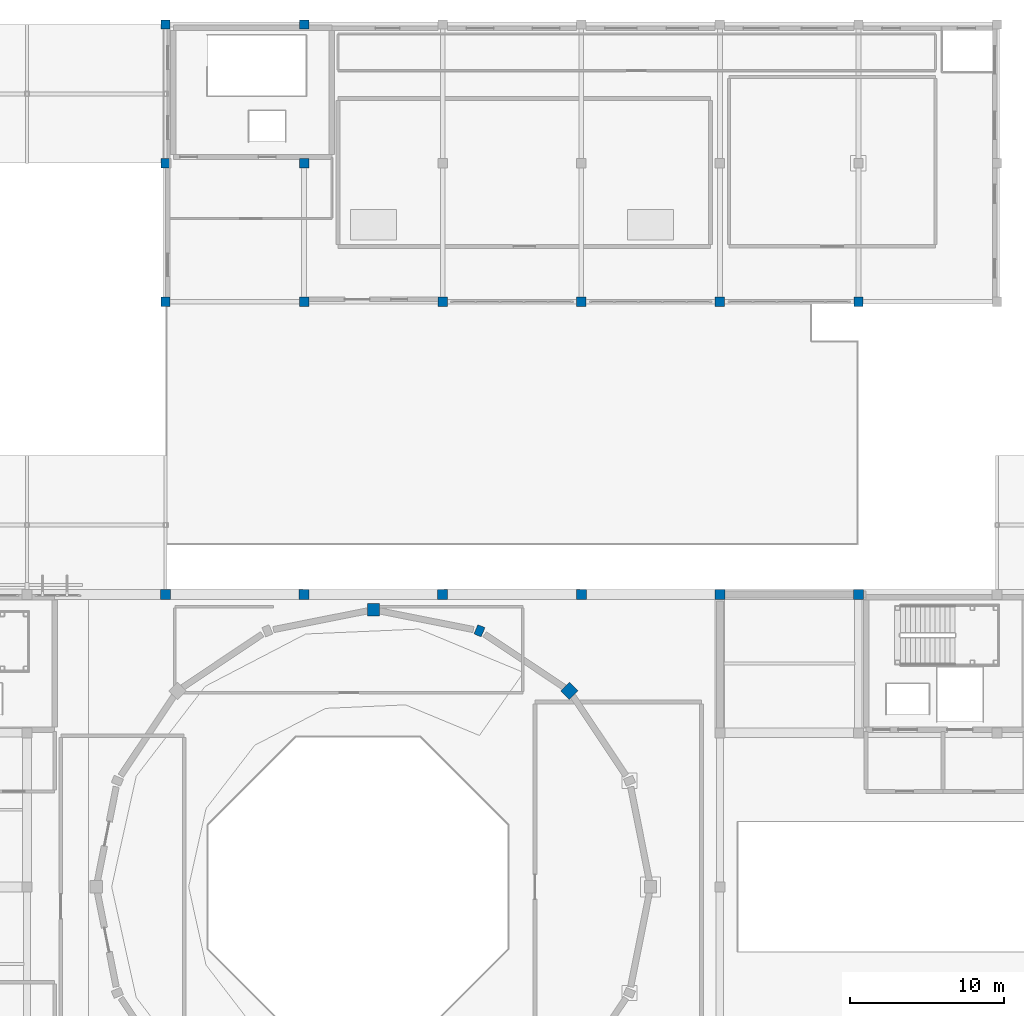
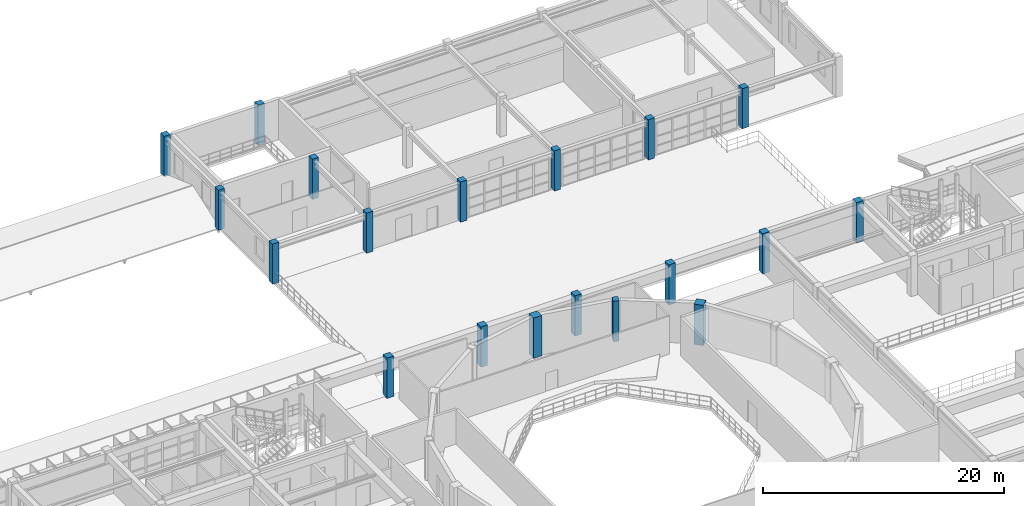
# One storey, part 5 of 80: 19 columns.
"""IFC4 building model written with IfcOpenShell, lengths in metres."""

from ifc_helpers import new_model, si_unit, direction, frame, origin, origin_2d, place, context, subcontext, project, spatial, rectangle, extrude, material, material_profile, profile_set, type_object, element, save


model = new_model("IFC4")

# Units and contexts
model_context = context("Model", 3, precision=1e-05, world=origin(), true_north=direction((0.0, 1.0)))
body_context = subcontext(model_context, "Body", "Model", "MODEL_VIEW")
ifc_project = project(units=[si_unit("LENGTHUNIT", "METRE"), si_unit("AREAUNIT", "SQUARE_METRE"), si_unit("VOLUMEUNIT", "CUBIC_METRE"), si_unit("PLANEANGLEUNIT", "RADIAN"), si_unit("MASSUNIT", "GRAM", prefix="KILO")], contexts=[model_context])

# Site, building, storey
site_placement = place(None, origin())
site = spatial("IfcSite", under=ifc_project, at=site_placement, CompositionType="ELEMENT")
building_placement = place(site_placement, origin())
building = spatial("IfcBuilding", under=site, at=building_placement, Name="Miravela Opera House", CompositionType="ELEMENT")
storey_placement = place(building_placement, frame((0.0, 0.0, 17.679931640625)))
storey = spatial("IfcBuildingStorey", under=building, at=storey_placement, Name="L04", CompositionType="ELEMENT", Elevation=17.679931640625)

# Columns
ifc_material_1 = material(Name="Concrete C35/45", Category="concrete")
ifc_material_profile_1 = material_profile(ifc_material_1, rectangle(XDim=0.60009765625, YDim=0.60009765625, at=origin_2d()), Name="RC-COL-600X600")
ifc_profile_set_1 = profile_set([ifc_material_profile_1])
column_type_1 = type_object("IfcColumnType", Name="STR-COL-RC600", PredefinedType="COLUMN", material=ifc_profile_set_1)
for number, where, z_axis, x_axis, name in (
    (1, (81.0, 94.0, 0.0), (0.0, 0.0, 1.0), (1.0, 0.0, 0.0), "Column C-10K (L04)"),
    (2, (90.0, 94.0, 0.0), (0.0, 0.0, 1.0), (1.0, 0.0, 0.0), "Column C-11K (L04)"),
    (3, (99.0, 94.0, 0.0), (0.0, 0.0, 1.0), (1.0, 0.0, 0.0), "Column C-12K (L04)"),
    (4, (108.0, 94.0, 0.0), (0.0, 0.0, 1.0), (1.0, 0.0, 0.0), "Column C-13K (L04)"),
    (5, (63.0, 94.0, 0.0), (0.0, 0.0, 1.0), (1.0, 0.0, 0.0), "Column C-8K (L04)"),
    (6, (63.0, 103.0, 0.0), (0.0, 0.0, 1.0), (1.0, 0.0, 0.0), "Column C-8L (L04)"),
    (7, (63.0, 112.0, 0.0), (0.0, 0.0, 1.0), (1.0, 0.0, 0.0), "Column C-8M (L04)"),
    (8, (72.0, 94.0, 0.0), (0.0, 0.0, 1.0), (1.0, 0.0, 0.0), "Column C-9K (L04)"),
    (9, (72.0, 103.0, 0.0), (0.0, 0.0, 1.0), (1.0, 0.0, 0.0), "Column C-9L (L04)"),
    (10, (72.0, 112.0, 0.0), (0.0, 0.0, 1.0), (1.0, 0.0, 0.0), "Column C-9M (L04)"),
):
    element("IfcColumn", number, at=place(storey_placement, frame(where, z_axis=z_axis, x_axis=x_axis)), inside=storey, type_object=column_type_1, Name=name, PredefinedType="COLUMN", context=body_context, shape_type="SweptSolid", body=[
        extrude(rectangle(XDim=0.60009765625, YDim=0.60009765625, at=origin_2d()), origin(), (0.0, 0.0, 1.0), 4.080078125),
    ])
ifc_material_profile_2 = material_profile(ifc_material_1, rectangle(XDim=0.64990234375, YDim=0.64990234375, at=origin_2d()), Name="RC-COL-650X650")
ifc_profile_set_2 = profile_set([ifc_material_profile_2])
column_type_2 = type_object("IfcColumnType", Name="STR-COL-RC650", PredefinedType="COLUMN", material=ifc_profile_set_2)
for number, where, z_axis, x_axis, name in (
    (11, (81.0, 75.0, 0.0), (0.0, 0.0, 1.0), (1.0, 0.0, 0.0), "Column C-10I (L04)"),
    (12, (90.0, 75.0, 0.0), (0.0, 0.0, 1.0), (1.0, 0.0, 0.0), "Column C-11I (L04)"),
    (13, (99.0, 75.0, 0.0), (0.0, 0.0, 1.0), (1.0, 0.0, 0.0), "Column C-12I (L04)"),
    (14, (108.0, 75.0, 0.0), (0.0, 0.0, 1.0), (1.0, 0.0, 0.0), "Column C-13I (L04)"),
    (15, (63.0, 75.0, 0.0), (0.0, 0.0, 1.0), (1.0, 0.0, 0.0), "Column C-8I (L04)"),
    (16, (72.0, 75.0, 0.0), (0.0, 0.0, 1.0), (1.0, 0.0, 0.0), "Column C-9I (L04)"),
):
    element("IfcColumn", number, at=place(storey_placement, frame(where, z_axis=z_axis, x_axis=x_axis)), inside=storey, type_object=column_type_2, Name=name, PredefinedType="COLUMN", context=body_context, shape_type="SweptSolid", body=[
        extrude(rectangle(XDim=0.64990234375, YDim=0.64990234375, at=origin_2d()), origin(), (0.0, 0.0, 1.0), 4.080078125),
    ])
ifc_material_profile_3 = material_profile(ifc_material_1, rectangle(XDim=0.64990234375, YDim=0.5, at=origin_2d()), Name="RC-PIL-650X500")
ifc_profile_set_3 = profile_set([ifc_material_profile_3])
column_type_3 = type_object("IfcColumnType", Name="STR-PIL-RC650X500", PredefinedType="PILASTER", material=ifc_profile_set_3)
column_placement = place(storey_placement, frame((83.38818359375, 72.6298828125, 0.0), z_axis=(0.0, 0.0, 1.0), x_axis=(0.382683432365, 0.923879532511, 0.0)))
element("IfcColumn", 17, at=column_placement, inside=storey, type_object=column_type_3, Name="Auditorium Drum Column DC-04 (L04)", PredefinedType="PILASTER", context=body_context, shape_type="SweptSolid", body=[
    extrude(rectangle(XDim=0.64990234375, YDim=0.5, at=origin_2d()), origin(), (0.0, 0.0, 1.0), 4.080078125),
])
ifc_material_2 = material(Name="Concrete C40/50", Category="concrete")
ifc_material_profile_4 = material_profile(ifc_material_2, rectangle(XDim=0.800048828125, YDim=0.800048828125, at=origin_2d()), Name="RC-COL-800X800")
ifc_profile_set_4 = profile_set([ifc_material_profile_4])
column_type_4 = type_object("IfcColumnType", Name="STR-PIL-RC800", PredefinedType="PILASTER", material=ifc_profile_set_4)
for number, where, z_axis, x_axis, name in (
    (18, (89.227783203125, 68.727783203125, 0.0), (0.0, 0.0, 1.0), (0.707106781187, 0.707106781187, 0.0), "Auditorium Drum Column DC-03 (L04)"),
    (19, (76.5, 74.0, 0.0), (0.0, 0.0, 1.0), (0.0, 1.0, 0.0), "Auditorium Drum Column DC-05 (L04)"),
):
    element("IfcColumn", number, at=place(storey_placement, frame(where, z_axis=z_axis, x_axis=x_axis)), inside=storey, type_object=column_type_4, Name=name, PredefinedType="PILASTER", context=body_context, shape_type="SweptSolid", body=[
        extrude(rectangle(XDim=0.800048828125, YDim=0.800048828125, at=origin_2d()), origin(), (0.0, 0.0, 1.0), 4.080078125),
    ])

save(model, "model.ifc")
